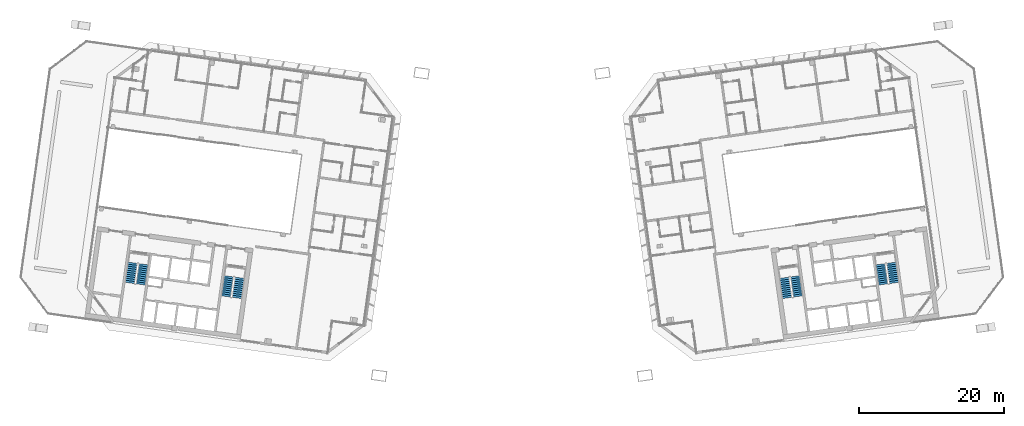
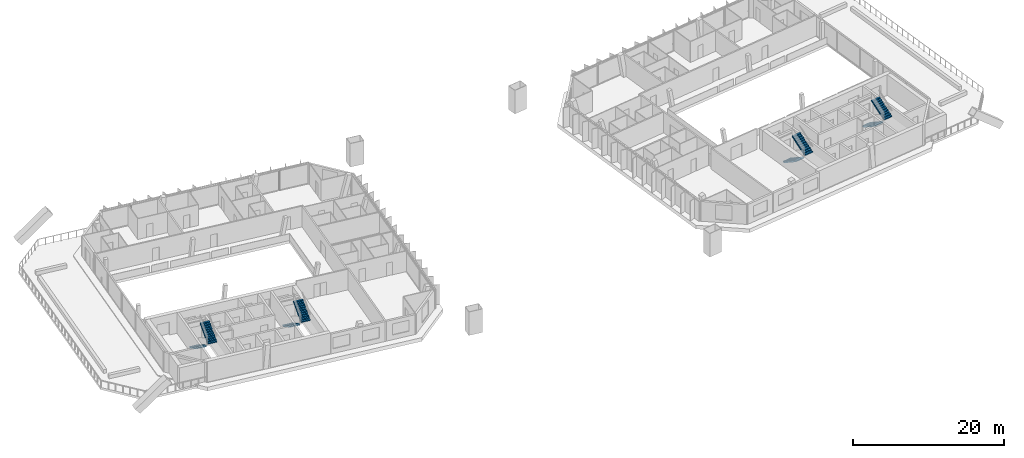
# One storey, part 15 of 17: 8 stair flights, 4 elements without a shape of their own.
"""IFC4 building model written with IfcOpenShell, lengths in metres."""

from ifc_helpers import new_model, si_unit, direction, frame, origin, place, context, subcontext, project, spatial, polyline, outline, extrude, material, type_object, element, aggregate, save


model = new_model("IFC4")

# Units and contexts
model_context = context("Model", 3, precision=1e-05, world=origin(), true_north=direction((0.0, 1.0)))
body_context = subcontext(model_context, "Body", "Model", "MODEL_VIEW")
ifc_project = project(units=[si_unit("LENGTHUNIT", "METRE"), si_unit("AREAUNIT", "SQUARE_METRE"), si_unit("VOLUMEUNIT", "CUBIC_METRE"), si_unit("PLANEANGLEUNIT", "RADIAN"), si_unit("MASSUNIT", "GRAM", prefix="KILO")], contexts=[model_context])

# Site, building, storey
site_placement = place(None, origin())
site = spatial("IfcSite", under=ifc_project, at=site_placement, CompositionType="ELEMENT")
building_placement = place(site_placement, origin())
building = spatial("IfcBuilding", under=site, at=building_placement, Name="Mirante Cascada Hotel Towers", CompositionType="ELEMENT")
storey_placement = place(building_placement, frame((0.0, 0.0, 250.8)))
storey = spatial("IfcBuildingStorey", under=building, at=storey_placement, Name="L60", CompositionType="ELEMENT", Elevation=250.8)

# Stair, stair flights
ifc_material_1 = material(Name="Concrete C35/45", Category="concrete")
stair_type = type_object("IfcStairType", Name="Exit stair half-turn 1350 concrete C35/45", PredefinedType="HALF_TURN_STAIR", material=ifc_material_1)
stair_1_placement = place(storey_placement, origin())
stair_1 = element("IfcStair", 1, at=stair_1_placement, inside=storey, type_object=stair_type, Name="L60 Exit stair A", PredefinedType="HALF_TURN_STAIR")
ifc_material_2 = material(Name="Concrete C35/45", Category="concrete")
stair_flight_type = type_object("IfcStairFlightType", Name="Exit stair flight 1350 concrete C35/45", PredefinedType="STRAIGHT", material=ifc_material_2)
stair_flight_1_placement = place(storey_placement, frame((-38.9417, -11.195, 0.0), z_axis=(0.0, 0.0, 1.0), x_axis=(-0.1391731, -0.9902681, 0.0)))
stair_flight_1 = element("IfcStairFlight", 2, at=stair_flight_1_placement, type_object=stair_flight_type, Name="ST1-A flight 1", NumberOfRisers=11, NumberOfTreads=10, PredefinedType="STRAIGHT", RiserHeight=0.172727273, TreadLength=0.28, context=body_context, shape_type="SweptSolid", body=[
    extrude(outline(polyline([(0.0, 0.0), (0.0, 0.1727), (0.28, 0.1727), (0.28, 0.3455), (0.56, 0.3455), (0.56, 0.5182), (0.84, 0.5182), (0.84, 0.6909), (1.12, 0.6909), (1.12, 0.8636), (1.4, 0.8636), (1.4, 1.0364), (1.68, 1.0364), (1.68, 1.2091), (1.96, 1.2091), (1.96, 1.3818), (2.24, 1.3818), (2.24, 1.5545), (2.52, 1.5545), (2.52, 1.7273), (2.8, 1.7273), (2.8, 1.9), (2.8, 1.551), (0.2857, 0.0), (0.0, 0.0)])), frame((0.0, 0.675, 0.0), z_axis=(0.0, -1.0, 0.0), x_axis=(1.0, 0.0, 0.0)), (0.0, 0.0, 1.0), 1.35),
])
stair_flight_2_placement = place(storey_placement, frame((-37.846, -14.1765, 1.9), z_axis=(0.0, 0.0, 1.0), x_axis=(0.1391731, 0.9902681, 0.0)))
stair_flight_2 = element("IfcStairFlight", 3, at=stair_flight_2_placement, type_object=stair_flight_type, Name="ST1-A flight 2", NumberOfRisers=11, NumberOfTreads=10, PredefinedType="STRAIGHT", RiserHeight=0.172727273, TreadLength=0.28, context=body_context, shape_type="SweptSolid", body=[
    extrude(outline(polyline([(0.0, 0.0), (0.0, 0.1727), (0.28, 0.1727), (0.28, 0.3455), (0.56, 0.3455), (0.56, 0.5182), (0.84, 0.5182), (0.84, 0.6909), (1.12, 0.6909), (1.12, 0.8636), (1.4, 0.8636), (1.4, 1.0364), (1.68, 1.0364), (1.68, 1.2091), (1.96, 1.2091), (1.96, 1.3818), (2.24, 1.3818), (2.24, 1.5545), (2.52, 1.5545), (2.52, 1.7273), (2.8, 1.7273), (2.8, 1.9), (2.8, 1.551), (0.2857, 0.0), (0.0, 0.0)])), frame((0.0, 0.675, 0.0), z_axis=(0.0, -1.0, 0.0), x_axis=(1.0, 0.0, 0.0)), (0.0, 0.0, 1.0), 1.35),
])
aggregate(stair_1, [stair_flight_1, stair_flight_2])

stair_2_placement = place(storey_placement, origin())
stair_2 = element("IfcStair", 4, at=stair_2_placement, inside=storey, type_object=stair_type, Name="L60 Exit stair B", PredefinedType="HALF_TURN_STAIR")
stair_flight_3_placement = place(storey_placement, frame((-52.1618, -9.3371, 0.0), z_axis=(0.0, 0.0, 1.0), x_axis=(-0.1391731, -0.9902681, 0.0)))
stair_flight_3 = element("IfcStairFlight", 5, at=stair_flight_3_placement, type_object=stair_flight_type, Name="ST1-B flight 1", NumberOfRisers=11, NumberOfTreads=10, PredefinedType="STRAIGHT", RiserHeight=0.172727273, TreadLength=0.28, context=body_context, shape_type="SweptSolid", body=[
    extrude(outline(polyline([(0.0, 0.0), (0.0, 0.1727), (0.28, 0.1727), (0.28, 0.3455), (0.56, 0.3455), (0.56, 0.5182), (0.84, 0.5182), (0.84, 0.6909), (1.12, 0.6909), (1.12, 0.8636), (1.4, 0.8636), (1.4, 1.0364), (1.68, 1.0364), (1.68, 1.2091), (1.96, 1.2091), (1.96, 1.3818), (2.24, 1.3818), (2.24, 1.5545), (2.52, 1.5545), (2.52, 1.7273), (2.8, 1.7273), (2.8, 1.9), (2.8, 1.551), (0.2857, 0.0), (0.0, 0.0)])), frame((0.0, 0.675, 0.0), z_axis=(0.0, -1.0, 0.0), x_axis=(1.0, 0.0, 0.0)), (0.0, 0.0, 1.0), 1.35),
])
stair_flight_4_placement = place(storey_placement, frame((-51.0661, -12.3186, 1.9), z_axis=(0.0, 0.0, 1.0), x_axis=(0.1391731, 0.9902681, 0.0)))
stair_flight_4 = element("IfcStairFlight", 6, at=stair_flight_4_placement, type_object=stair_flight_type, Name="ST1-B flight 2", NumberOfRisers=11, NumberOfTreads=10, PredefinedType="STRAIGHT", RiserHeight=0.172727273, TreadLength=0.28, context=body_context, shape_type="SweptSolid", body=[
    extrude(outline(polyline([(0.0, 0.0), (0.0, 0.1727), (0.28, 0.1727), (0.28, 0.3455), (0.56, 0.3455), (0.56, 0.5182), (0.84, 0.5182), (0.84, 0.6909), (1.12, 0.6909), (1.12, 0.8636), (1.4, 0.8636), (1.4, 1.0364), (1.68, 1.0364), (1.68, 1.2091), (1.96, 1.2091), (1.96, 1.3818), (2.24, 1.3818), (2.24, 1.5545), (2.52, 1.5545), (2.52, 1.7273), (2.8, 1.7273), (2.8, 1.9), (2.8, 1.551), (0.2857, 0.0), (0.0, 0.0)])), frame((0.0, 0.675, 0.0), z_axis=(0.0, -1.0, 0.0), x_axis=(1.0, 0.0, 0.0)), (0.0, 0.0, 1.0), 1.35),
])
aggregate(stair_2, [stair_flight_3, stair_flight_4])

stair_3_placement = place(storey_placement, origin())
stair_3 = element("IfcStair", 7, at=stair_3_placement, inside=storey, type_object=stair_type, Name="L60 Exit stair A", PredefinedType="HALF_TURN_STAIR")
stair_flight_5_placement = place(storey_placement, frame((37.4563, -11.4038, 0.0), z_axis=(0.0, 0.0, 1.0), x_axis=(0.1391731, -0.9902681, 0.0)))
stair_flight_5 = element("IfcStairFlight", 8, at=stair_flight_5_placement, type_object=stair_flight_type, Name="ST2-A flight 1", NumberOfRisers=11, NumberOfTreads=10, PredefinedType="STRAIGHT", RiserHeight=0.172727273, TreadLength=0.28, context=body_context, shape_type="SweptSolid", body=[
    extrude(outline(polyline([(0.0, 0.0), (0.0, 0.1727), (0.28, 0.1727), (0.28, 0.3455), (0.56, 0.3455), (0.56, 0.5182), (0.84, 0.5182), (0.84, 0.6909), (1.12, 0.6909), (1.12, 0.8636), (1.4, 0.8636), (1.4, 1.0364), (1.68, 1.0364), (1.68, 1.2091), (1.96, 1.2091), (1.96, 1.3818), (2.24, 1.3818), (2.24, 1.5545), (2.52, 1.5545), (2.52, 1.7273), (2.8, 1.7273), (2.8, 1.9), (2.8, 1.551), (0.2857, 0.0), (0.0, 0.0)])), frame((0.0, 0.675, 0.0), z_axis=(0.0, -1.0, 0.0), x_axis=(1.0, 0.0, 0.0)), (0.0, 0.0, 1.0), 1.35),
])
stair_flight_6_placement = place(storey_placement, frame((39.3314, -13.9678, 1.9), z_axis=(0.0, 0.0, 1.0), x_axis=(-0.1391731, 0.9902681, 0.0)))
stair_flight_6 = element("IfcStairFlight", 9, at=stair_flight_6_placement, type_object=stair_flight_type, Name="ST2-A flight 2", NumberOfRisers=11, NumberOfTreads=10, PredefinedType="STRAIGHT", RiserHeight=0.172727273, TreadLength=0.28, context=body_context, shape_type="SweptSolid", body=[
    extrude(outline(polyline([(0.0, 0.0), (0.0, 0.1727), (0.28, 0.1727), (0.28, 0.3455), (0.56, 0.3455), (0.56, 0.5182), (0.84, 0.5182), (0.84, 0.6909), (1.12, 0.6909), (1.12, 0.8636), (1.4, 0.8636), (1.4, 1.0364), (1.68, 1.0364), (1.68, 1.2091), (1.96, 1.2091), (1.96, 1.3818), (2.24, 1.3818), (2.24, 1.5545), (2.52, 1.5545), (2.52, 1.7273), (2.8, 1.7273), (2.8, 1.9), (2.8, 1.551), (0.2857, 0.0), (0.0, 0.0)])), frame((0.0, 0.675, 0.0), z_axis=(0.0, -1.0, 0.0), x_axis=(1.0, 0.0, 0.0)), (0.0, 0.0, 1.0), 1.35),
])
aggregate(stair_3, [stair_flight_5, stair_flight_6])

stair_4_placement = place(storey_placement, origin())
stair_4 = element("IfcStair", 10, at=stair_4_placement, inside=storey, type_object=stair_type, Name="L60 Exit stair B", PredefinedType="HALF_TURN_STAIR")
stair_flight_7_placement = place(storey_placement, frame((50.6764, -9.5458, 0.0), z_axis=(0.0, 0.0, 1.0), x_axis=(0.1391731, -0.9902681, 0.0)))
stair_flight_7 = element("IfcStairFlight", 11, at=stair_flight_7_placement, type_object=stair_flight_type, Name="ST2-B flight 1", NumberOfRisers=11, NumberOfTreads=10, PredefinedType="STRAIGHT", RiserHeight=0.172727273, TreadLength=0.28, context=body_context, shape_type="SweptSolid", body=[
    extrude(outline(polyline([(0.0, 0.0), (0.0, 0.1727), (0.28, 0.1727), (0.28, 0.3455), (0.56, 0.3455), (0.56, 0.5182), (0.84, 0.5182), (0.84, 0.6909), (1.12, 0.6909), (1.12, 0.8636), (1.4, 0.8636), (1.4, 1.0364), (1.68, 1.0364), (1.68, 1.2091), (1.96, 1.2091), (1.96, 1.3818), (2.24, 1.3818), (2.24, 1.5545), (2.52, 1.5545), (2.52, 1.7273), (2.8, 1.7273), (2.8, 1.9), (2.8, 1.551), (0.2857, 0.0), (0.0, 0.0)])), frame((0.0, 0.675, 0.0), z_axis=(0.0, -1.0, 0.0), x_axis=(1.0, 0.0, 0.0)), (0.0, 0.0, 1.0), 1.35),
])
stair_flight_8_placement = place(storey_placement, frame((52.5515, -12.1098, 1.9), z_axis=(0.0, 0.0, 1.0), x_axis=(-0.1391731, 0.9902681, 0.0)))
stair_flight_8 = element("IfcStairFlight", 12, at=stair_flight_8_placement, type_object=stair_flight_type, Name="ST2-B flight 2", NumberOfRisers=11, NumberOfTreads=10, PredefinedType="STRAIGHT", RiserHeight=0.172727273, TreadLength=0.28, context=body_context, shape_type="SweptSolid", body=[
    extrude(outline(polyline([(0.0, 0.0), (0.0, 0.1727), (0.28, 0.1727), (0.28, 0.3455), (0.56, 0.3455), (0.56, 0.5182), (0.84, 0.5182), (0.84, 0.6909), (1.12, 0.6909), (1.12, 0.8636), (1.4, 0.8636), (1.4, 1.0364), (1.68, 1.0364), (1.68, 1.2091), (1.96, 1.2091), (1.96, 1.3818), (2.24, 1.3818), (2.24, 1.5545), (2.52, 1.5545), (2.52, 1.7273), (2.8, 1.7273), (2.8, 1.9), (2.8, 1.551), (0.2857, 0.0), (0.0, 0.0)])), frame((0.0, 0.675, 0.0), z_axis=(0.0, -1.0, 0.0), x_axis=(1.0, 0.0, 0.0)), (0.0, 0.0, 1.0), 1.35),
])
aggregate(stair_4, [stair_flight_7, stair_flight_8])

save(model, "model.ifc")
